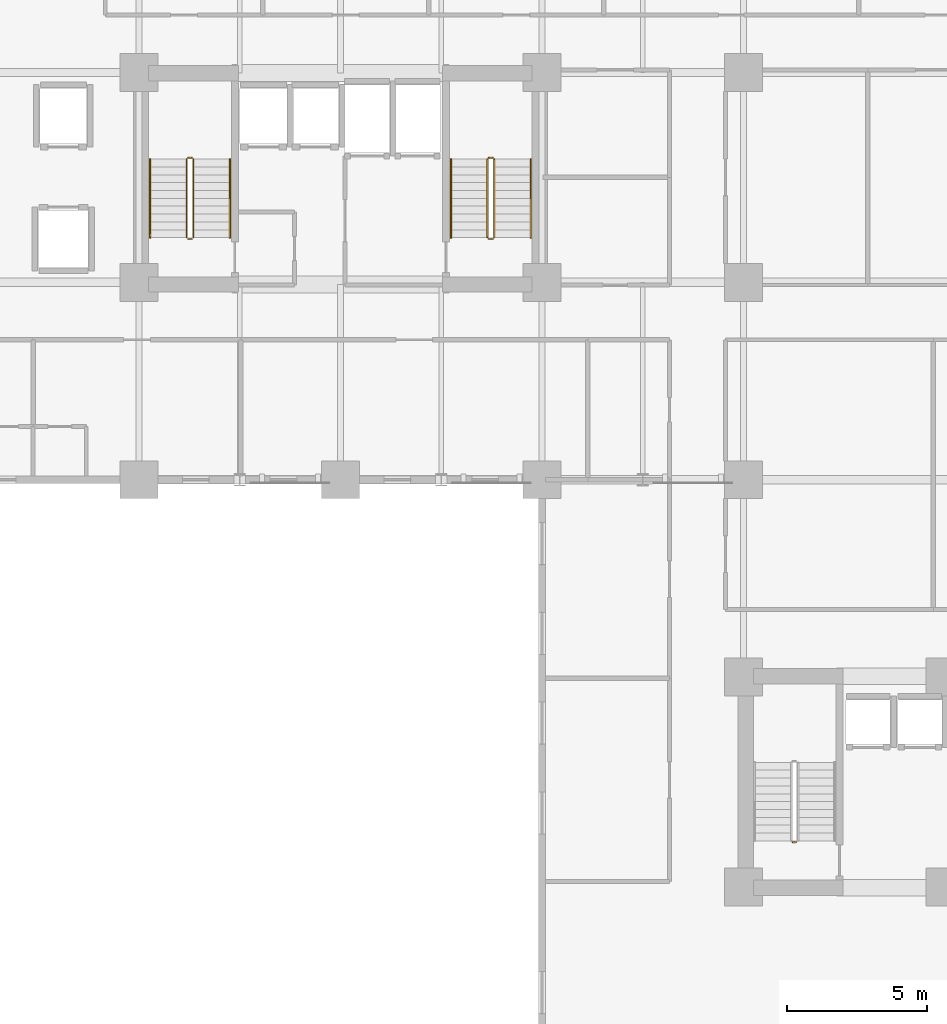
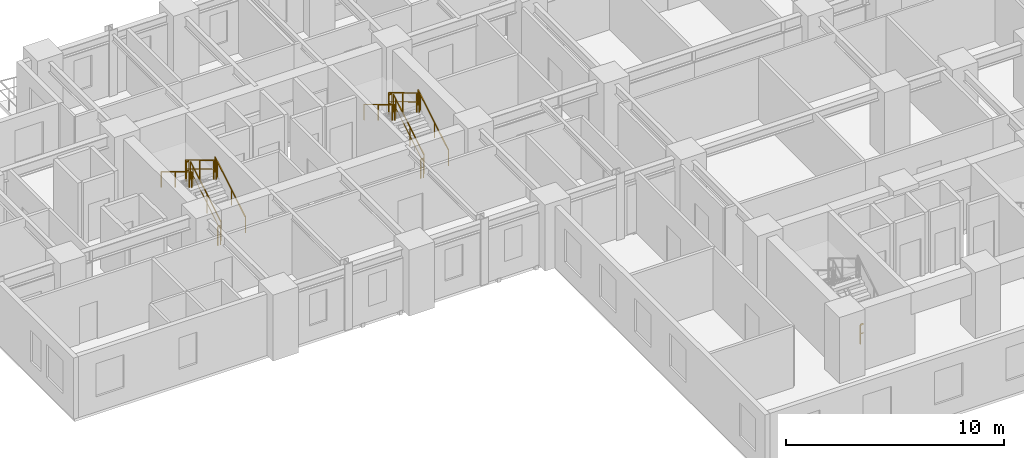
# One storey, part 9 of 11: 13 railings.
"""IFC4 building model written with IfcOpenShell, lengths in metres."""

from ifc_helpers import new_model, si_unit, direction, frame, origin, origin_2d, place, context, subcontext, project, spatial, rectangle, extrude, material, type_object, element, save


model = new_model("IFC4")

# Units and contexts
model_context = context("Model", 3, precision=1e-05, world=origin(), true_north=direction((0.0, 1.0)))
body_context = subcontext(model_context, "Body", "Model", "MODEL_VIEW")
ifc_project = project(units=[si_unit("LENGTHUNIT", "METRE"), si_unit("AREAUNIT", "SQUARE_METRE"), si_unit("VOLUMEUNIT", "CUBIC_METRE"), si_unit("PLANEANGLEUNIT", "RADIAN"), si_unit("MASSUNIT", "GRAM", prefix="KILO")], contexts=[model_context])

# Site, building, storey
site_placement = place(None, origin())
site = spatial("IfcSite", under=ifc_project, at=site_placement, CompositionType="ELEMENT")
building_placement = place(site_placement, origin())
building = spatial("IfcBuilding", under=site, at=building_placement, Name="Kaliganga Portal Commons", CompositionType="ELEMENT")
storey_placement = place(building_placement, frame((0.0, 0.0, 58.60009765625)))
storey = spatial("IfcBuildingStorey", under=building, at=storey_placement, Name="L14", CompositionType="ELEMENT", Elevation=58.60009765625)

# Railings
ifc_material_1 = material(Name="Galvanized Painted Steel Balustrade", Category="steel")
railing_type_1 = type_object("IfcRailingType", Name="RLG-STAIR-GRD", PredefinedType="GUARDRAIL", material=ifc_material_1)
railing_1_placement = place(storey_placement, frame((16.35009765625, 30.25, 0.16796875)))
element("IfcRailing", 1, at=railing_1_placement, inside=storey, type_object=railing_type_1, Name="L14 ST-A1 stair guard 1", PredefinedType="GUARDRAIL", context=body_context, shape_type="SweptSolid", body=[
    extrude(rectangle(XDim=0.048095703125, YDim=0.048095703125, at=origin_2d()), frame((0.0, 0.0, 1.072021484375), z_axis=(0.0, 0.857242210791, 0.514913383045), x_axis=(-1.0, 0.0, 0.0)), (0.0, 0.0, 1.0), 3.266357421875),
    extrude(rectangle(XDim=0.028076171875, YDim=0.028076171875, at=origin_2d()), frame((0.0, 0.0, 0.572021484375), z_axis=(0.0, 0.857242210791, 0.514913383045), x_axis=(-1.0, 0.0, 0.0)), (0.0, 0.0, 1.0), 3.266357421875),
    extrude(rectangle(XDim=0.0419921875, YDim=0.0419921875, at=origin_2d()), origin(), (0.0, 0.0, 1.0), 1.052001953125),
    extrude(rectangle(XDim=0.0419921875, YDim=0.0419921875, at=origin_2d()), frame((0.0, 1.285888671875, 0.7724609375)), (0.0, 0.0, 1.0), 1.052001953125),
    extrude(rectangle(XDim=0.0419921875, YDim=0.0419921875, at=origin_2d()), frame((0.0, 2.57177734375, 1.544677734375)), (0.0, 0.0, 1.0), 1.052001953125),
    extrude(rectangle(XDim=0.0419921875, YDim=0.0419921875, at=origin_2d()), frame((0.0, 2.800048828125, 1.681884765625)), (0.0, 0.0, 1.0), 1.052001953125),
])
railing_2_placement = place(storey_placement, frame((16.300048828125, 33.10009765625, 1.849853515625)))
element("IfcRailing", 2, at=railing_2_placement, inside=storey, type_object=railing_type_1, Name="L14 ST-A1 stair guard 2", PredefinedType="GUARDRAIL", context=body_context, shape_type="SweptSolid", body=[
    extrude(rectangle(XDim=0.048095703125, YDim=0.048095703125, at=origin_2d()), frame((0.0, 0.0, 1.076171875), z_axis=(-1.0, 0.0, 0.0), x_axis=(0.0, -1.0, 0.0)), (0.0, 0.0, 1.0), 0.150146484375),
    extrude(rectangle(XDim=0.028076171875, YDim=0.028076171875, at=origin_2d()), frame((0.0, 0.0, 0.572021484375), z_axis=(-1.0, 0.0, 0.0), x_axis=(0.0, -1.0, 0.0)), (0.0, 0.0, 1.0), 0.150146484375),
    extrude(rectangle(XDim=0.0419921875, YDim=0.0419921875, at=origin_2d()), origin(), (0.0, 0.0, 1.0), 1.052001953125),
    extrude(rectangle(XDim=0.0419921875, YDim=0.0419921875, at=origin_2d()), frame((-0.150146484375, 0.0, 0.0)), (0.0, 0.0, 1.0), 1.052001953125),
])
railing_3_placement = place(storey_placement, frame((16.10009765625, 33.050048828125, 2.01806640625)))
element("IfcRailing", 3, at=railing_3_placement, inside=storey, type_object=railing_type_1, Name="L14 ST-A1 stair guard 3", PredefinedType="GUARDRAIL", context=body_context, shape_type="SweptSolid", body=[
    extrude(rectangle(XDim=0.048095703125, YDim=0.048095703125, at=origin_2d()), frame((0.0, 0.0, 1.072021484375), z_axis=(0.0, -0.857242210791, 0.514913383045), x_axis=(1.0, 0.0, 0.0)), (0.0, 0.0, 1.0), 3.266357421875),
    extrude(rectangle(XDim=0.028076171875, YDim=0.028076171875, at=origin_2d()), frame((0.0, 0.0, 0.572021484375), z_axis=(0.0, -0.857242210791, 0.514913383045), x_axis=(1.0, 0.0, 0.0)), (0.0, 0.0, 1.0), 3.266357421875),
    extrude(rectangle(XDim=0.0419921875, YDim=0.0419921875, at=origin_2d()), origin(), (0.0, 0.0, 1.0), 1.052001953125),
    extrude(rectangle(XDim=0.0419921875, YDim=0.0419921875, at=origin_2d()), frame((0.0, -1.285888671875, 0.7724609375)), (0.0, 0.0, 1.0), 1.052001953125),
    extrude(rectangle(XDim=0.0419921875, YDim=0.0419921875, at=origin_2d()), frame((0.0, -2.57177734375, 1.544677734375)), (0.0, 0.0, 1.0), 1.052001953125),
    extrude(rectangle(XDim=0.0419921875, YDim=0.0419921875, at=origin_2d()), frame((0.0, -2.800048828125, 1.681884765625)), (0.0, 0.0, 1.0), 1.052001953125),
])
railing_4_placement = place(storey_placement, frame((16.300048828125, 30.199951171875, 0.0)))
element("IfcRailing", 4, at=railing_4_placement, inside=storey, type_object=railing_type_1, Name="L14 ST-A1 stair guard 4", PredefinedType="GUARDRAIL", context=body_context, shape_type="SweptSolid", body=[
    extrude(rectangle(XDim=0.048095703125, YDim=0.048095703125, at=origin_2d()), frame((0.0, 0.0, 1.076171875), z_axis=(-1.0, 0.0, 0.0), x_axis=(0.0, -1.0, 0.0)), (0.0, 0.0, 1.0), 0.150146484375),
    extrude(rectangle(XDim=0.028076171875, YDim=0.028076171875, at=origin_2d()), frame((0.0, 0.0, 0.572021484375), z_axis=(-1.0, 0.0, 0.0), x_axis=(0.0, -1.0, 0.0)), (0.0, 0.0, 1.0), 0.150146484375),
    extrude(rectangle(XDim=0.0419921875, YDim=0.0419921875, at=origin_2d()), origin(), (0.0, 0.0, 1.0), 1.052001953125),
    extrude(rectangle(XDim=0.0419921875, YDim=0.0419921875, at=origin_2d()), frame((-0.150146484375, 0.0, 0.0)), (0.0, 0.0, 1.0), 1.052001953125),
])
railing_5_placement = place(storey_placement, frame((27.10009765625, 30.25, 0.16796875)))
element("IfcRailing", 5, at=railing_5_placement, inside=storey, type_object=railing_type_1, Name="L14 ST-A2 stair guard 1", PredefinedType="GUARDRAIL", context=body_context, shape_type="SweptSolid", body=[
    extrude(rectangle(XDim=0.048095703125, YDim=0.048095703125, at=origin_2d()), frame((0.0, 0.0, 1.072021484375), z_axis=(0.0, 0.857242210791, 0.514913383045), x_axis=(-1.0, 0.0, 0.0)), (0.0, 0.0, 1.0), 3.266357421875),
    extrude(rectangle(XDim=0.028076171875, YDim=0.028076171875, at=origin_2d()), frame((0.0, 0.0, 0.572021484375), z_axis=(0.0, 0.857242210791, 0.514913383045), x_axis=(-1.0, 0.0, 0.0)), (0.0, 0.0, 1.0), 3.266357421875),
    extrude(rectangle(XDim=0.0419921875, YDim=0.0419921875, at=origin_2d()), origin(), (0.0, 0.0, 1.0), 1.052001953125),
    extrude(rectangle(XDim=0.0419921875, YDim=0.0419921875, at=origin_2d()), frame((0.0, 1.285888671875, 0.7724609375)), (0.0, 0.0, 1.0), 1.052001953125),
    extrude(rectangle(XDim=0.0419921875, YDim=0.0419921875, at=origin_2d()), frame((0.0, 2.57177734375, 1.544677734375)), (0.0, 0.0, 1.0), 1.052001953125),
    extrude(rectangle(XDim=0.0419921875, YDim=0.0419921875, at=origin_2d()), frame((0.0, 2.800048828125, 1.681884765625)), (0.0, 0.0, 1.0), 1.052001953125),
])
railing_6_placement = place(storey_placement, frame((27.050048828125, 33.10009765625, 1.849853515625)))
element("IfcRailing", 6, at=railing_6_placement, inside=storey, type_object=railing_type_1, Name="L14 ST-A2 stair guard 2", PredefinedType="GUARDRAIL", context=body_context, shape_type="SweptSolid", body=[
    extrude(rectangle(XDim=0.048095703125, YDim=0.048095703125, at=origin_2d()), frame((0.0, 0.0, 1.076171875), z_axis=(-1.0, 0.0, 0.0), x_axis=(0.0, -1.0, 0.0)), (0.0, 0.0, 1.0), 0.150146484375),
    extrude(rectangle(XDim=0.028076171875, YDim=0.028076171875, at=origin_2d()), frame((0.0, 0.0, 0.572021484375), z_axis=(-1.0, 0.0, 0.0), x_axis=(0.0, -1.0, 0.0)), (0.0, 0.0, 1.0), 0.150146484375),
    extrude(rectangle(XDim=0.0419921875, YDim=0.0419921875, at=origin_2d()), origin(), (0.0, 0.0, 1.0), 1.052001953125),
    extrude(rectangle(XDim=0.0419921875, YDim=0.0419921875, at=origin_2d()), frame((-0.150146484375, 0.0, 0.0)), (0.0, 0.0, 1.0), 1.052001953125),
])
railing_7_placement = place(storey_placement, frame((26.85009765625, 33.050048828125, 2.01806640625)))
element("IfcRailing", 7, at=railing_7_placement, inside=storey, type_object=railing_type_1, Name="L14 ST-A2 stair guard 3", PredefinedType="GUARDRAIL", context=body_context, shape_type="SweptSolid", body=[
    extrude(rectangle(XDim=0.048095703125, YDim=0.048095703125, at=origin_2d()), frame((0.0, 0.0, 1.072021484375), z_axis=(0.0, -0.857242210791, 0.514913383045), x_axis=(1.0, 0.0, 0.0)), (0.0, 0.0, 1.0), 3.266357421875),
    extrude(rectangle(XDim=0.028076171875, YDim=0.028076171875, at=origin_2d()), frame((0.0, 0.0, 0.572021484375), z_axis=(0.0, -0.857242210791, 0.514913383045), x_axis=(1.0, 0.0, 0.0)), (0.0, 0.0, 1.0), 3.266357421875),
    extrude(rectangle(XDim=0.0419921875, YDim=0.0419921875, at=origin_2d()), origin(), (0.0, 0.0, 1.0), 1.052001953125),
    extrude(rectangle(XDim=0.0419921875, YDim=0.0419921875, at=origin_2d()), frame((0.0, -1.285888671875, 0.7724609375)), (0.0, 0.0, 1.0), 1.052001953125),
    extrude(rectangle(XDim=0.0419921875, YDim=0.0419921875, at=origin_2d()), frame((0.0, -2.57177734375, 1.544677734375)), (0.0, 0.0, 1.0), 1.052001953125),
    extrude(rectangle(XDim=0.0419921875, YDim=0.0419921875, at=origin_2d()), frame((0.0, -2.800048828125, 1.681884765625)), (0.0, 0.0, 1.0), 1.052001953125),
])
railing_8_placement = place(storey_placement, frame((27.050048828125, 30.199951171875, 0.0)))
element("IfcRailing", 8, at=railing_8_placement, inside=storey, type_object=railing_type_1, Name="L14 ST-A2 stair guard 4", PredefinedType="GUARDRAIL", context=body_context, shape_type="SweptSolid", body=[
    extrude(rectangle(XDim=0.048095703125, YDim=0.048095703125, at=origin_2d()), frame((0.0, 0.0, 1.076171875), z_axis=(-1.0, 0.0, 0.0), x_axis=(0.0, -1.0, 0.0)), (0.0, 0.0, 1.0), 0.150146484375),
    extrude(rectangle(XDim=0.028076171875, YDim=0.028076171875, at=origin_2d()), frame((0.0, 0.0, 0.572021484375), z_axis=(-1.0, 0.0, 0.0), x_axis=(0.0, -1.0, 0.0)), (0.0, 0.0, 1.0), 0.150146484375),
    extrude(rectangle(XDim=0.0419921875, YDim=0.0419921875, at=origin_2d()), origin(), (0.0, 0.0, 1.0), 1.052001953125),
    extrude(rectangle(XDim=0.0419921875, YDim=0.0419921875, at=origin_2d()), frame((-0.150146484375, 0.0, 0.0)), (0.0, 0.0, 1.0), 1.052001953125),
])
railing_9_placement = place(storey_placement, frame((37.89990234375, 8.64990234375, 0.0)))
element("IfcRailing", 9, at=railing_9_placement, inside=storey, type_object=railing_type_1, Name="L14 ST-B1 stair guard 4", PredefinedType="GUARDRAIL", context=body_context, shape_type="SweptSolid", body=[
    extrude(rectangle(XDim=0.048095703125, YDim=0.048095703125, at=origin_2d()), frame((0.0, 0.0, 1.076171875), z_axis=(-1.0, 0.0, 0.0), x_axis=(0.0, -1.0, 0.0)), (0.0, 0.0, 1.0), 0.14990234375),
    extrude(rectangle(XDim=0.028076171875, YDim=0.028076171875, at=origin_2d()), frame((0.0, 0.0, 0.572021484375), z_axis=(-1.0, 0.0, 0.0), x_axis=(0.0, -1.0, 0.0)), (0.0, 0.0, 1.0), 0.14990234375),
    extrude(rectangle(XDim=0.0419921875, YDim=0.0419921875, at=origin_2d()), frame((-0.14990234375, 0.0, 0.0)), (0.0, 0.0, 1.0), 1.052001953125),
])
ifc_material_2 = material(Name="Brushed Stainless Steel 316", Category="steel")
railing_type_2 = type_object("IfcRailingType", Name="RLG-STAIR-HR", PredefinedType="HANDRAIL", material=ifc_material_2)
railing_10_placement = place(storey_placement, frame((17.64990234375, 30.25, 0.16796875)))
element("IfcRailing", 10, at=railing_10_placement, inside=storey, type_object=railing_type_2, Name="L14 ST-A1 stair handrail 1", PredefinedType="HANDRAIL", context=body_context, shape_type="SweptSolid", body=[
    extrude(rectangle(XDim=0.048095703125, YDim=0.048095703125, at=origin_2d()), frame((0.0, 0.0, 0.871826171875), z_axis=(0.0, 0.857242210791, 0.514913383045), x_axis=(-1.0, 0.0, 0.0)), (0.0, 0.0, 1.0), 3.266357421875),
    extrude(rectangle(XDim=0.0419921875, YDim=0.0419921875, at=origin_2d()), origin(), (0.0, 0.0, 1.0), 0.851806640625),
    extrude(rectangle(XDim=0.0419921875, YDim=0.0419921875, at=origin_2d()), frame((0.0, 1.285888671875, 0.7724609375)), (0.0, 0.0, 1.0), 0.851806640625),
    extrude(rectangle(XDim=0.0419921875, YDim=0.0419921875, at=origin_2d()), frame((0.0, 2.57177734375, 1.544677734375)), (0.0, 0.0, 1.0), 0.851806640625),
    extrude(rectangle(XDim=0.0419921875, YDim=0.0419921875, at=origin_2d()), frame((0.0, 2.800048828125, 1.681884765625)), (0.0, 0.0, 1.0), 0.851806640625),
])
railing_11_placement = place(storey_placement, frame((14.800048828125, 33.050048828125, 2.01806640625)))
element("IfcRailing", 11, at=railing_11_placement, inside=storey, type_object=railing_type_2, Name="L14 ST-A1 stair handrail 2", PredefinedType="HANDRAIL", context=body_context, shape_type="SweptSolid", body=[
    extrude(rectangle(XDim=0.048095703125, YDim=0.048095703125, at=origin_2d()), frame((0.0, 0.0, 0.871826171875), z_axis=(0.0, -0.857242210791, 0.514913383045), x_axis=(1.0, 0.0, 0.0)), (0.0, 0.0, 1.0), 3.266357421875),
    extrude(rectangle(XDim=0.0419921875, YDim=0.0419921875, at=origin_2d()), origin(), (0.0, 0.0, 1.0), 0.851806640625),
    extrude(rectangle(XDim=0.0419921875, YDim=0.0419921875, at=origin_2d()), frame((0.0, -1.285888671875, 0.7724609375)), (0.0, 0.0, 1.0), 0.851806640625),
    extrude(rectangle(XDim=0.0419921875, YDim=0.0419921875, at=origin_2d()), frame((0.0, -2.57177734375, 1.544677734375)), (0.0, 0.0, 1.0), 0.851806640625),
    extrude(rectangle(XDim=0.0419921875, YDim=0.0419921875, at=origin_2d()), frame((0.0, -2.800048828125, 1.681884765625)), (0.0, 0.0, 1.0), 0.851806640625),
])
railing_12_placement = place(storey_placement, frame((28.39990234375, 30.25, 0.16796875)))
element("IfcRailing", 12, at=railing_12_placement, inside=storey, type_object=railing_type_2, Name="L14 ST-A2 stair handrail 1", PredefinedType="HANDRAIL", context=body_context, shape_type="SweptSolid", body=[
    extrude(rectangle(XDim=0.048095703125, YDim=0.048095703125, at=origin_2d()), frame((0.0, 0.0, 0.871826171875), z_axis=(0.0, 0.857242210791, 0.514913383045), x_axis=(-1.0, 0.0, 0.0)), (0.0, 0.0, 1.0), 3.266357421875),
    extrude(rectangle(XDim=0.0419921875, YDim=0.0419921875, at=origin_2d()), origin(), (0.0, 0.0, 1.0), 0.851806640625),
    extrude(rectangle(XDim=0.0419921875, YDim=0.0419921875, at=origin_2d()), frame((0.0, 1.285888671875, 0.7724609375)), (0.0, 0.0, 1.0), 0.851806640625),
    extrude(rectangle(XDim=0.0419921875, YDim=0.0419921875, at=origin_2d()), frame((0.0, 2.57177734375, 1.544677734375)), (0.0, 0.0, 1.0), 0.851806640625),
    extrude(rectangle(XDim=0.0419921875, YDim=0.0419921875, at=origin_2d()), frame((0.0, 2.800048828125, 1.681884765625)), (0.0, 0.0, 1.0), 0.851806640625),
])
railing_13_placement = place(storey_placement, frame((25.550048828125, 33.050048828125, 2.01806640625)))
element("IfcRailing", 13, at=railing_13_placement, inside=storey, type_object=railing_type_2, Name="L14 ST-A2 stair handrail 2", PredefinedType="HANDRAIL", context=body_context, shape_type="SweptSolid", body=[
    extrude(rectangle(XDim=0.048095703125, YDim=0.048095703125, at=origin_2d()), frame((0.0, 0.0, 0.871826171875), z_axis=(0.0, -0.857242210791, 0.514913383045), x_axis=(1.0, 0.0, 0.0)), (0.0, 0.0, 1.0), 3.266357421875),
    extrude(rectangle(XDim=0.0419921875, YDim=0.0419921875, at=origin_2d()), origin(), (0.0, 0.0, 1.0), 0.851806640625),
    extrude(rectangle(XDim=0.0419921875, YDim=0.0419921875, at=origin_2d()), frame((0.0, -1.285888671875, 0.7724609375)), (0.0, 0.0, 1.0), 0.851806640625),
    extrude(rectangle(XDim=0.0419921875, YDim=0.0419921875, at=origin_2d()), frame((0.0, -2.57177734375, 1.544677734375)), (0.0, 0.0, 1.0), 0.851806640625),
    extrude(rectangle(XDim=0.0419921875, YDim=0.0419921875, at=origin_2d()), frame((0.0, -2.800048828125, 1.681884765625)), (0.0, 0.0, 1.0), 0.851806640625),
])

save(model, "model.ifc")
